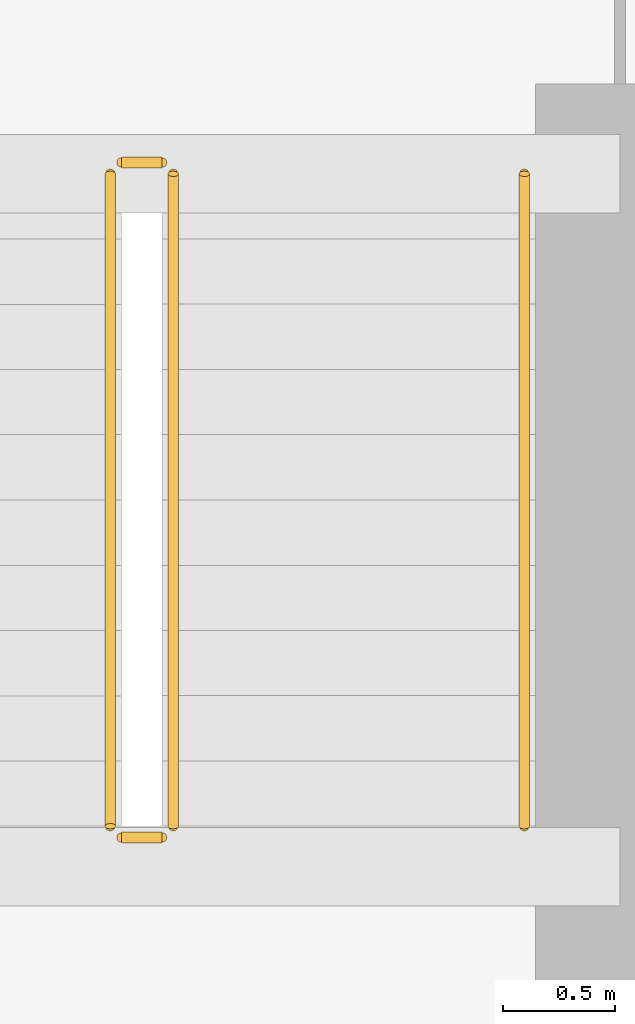
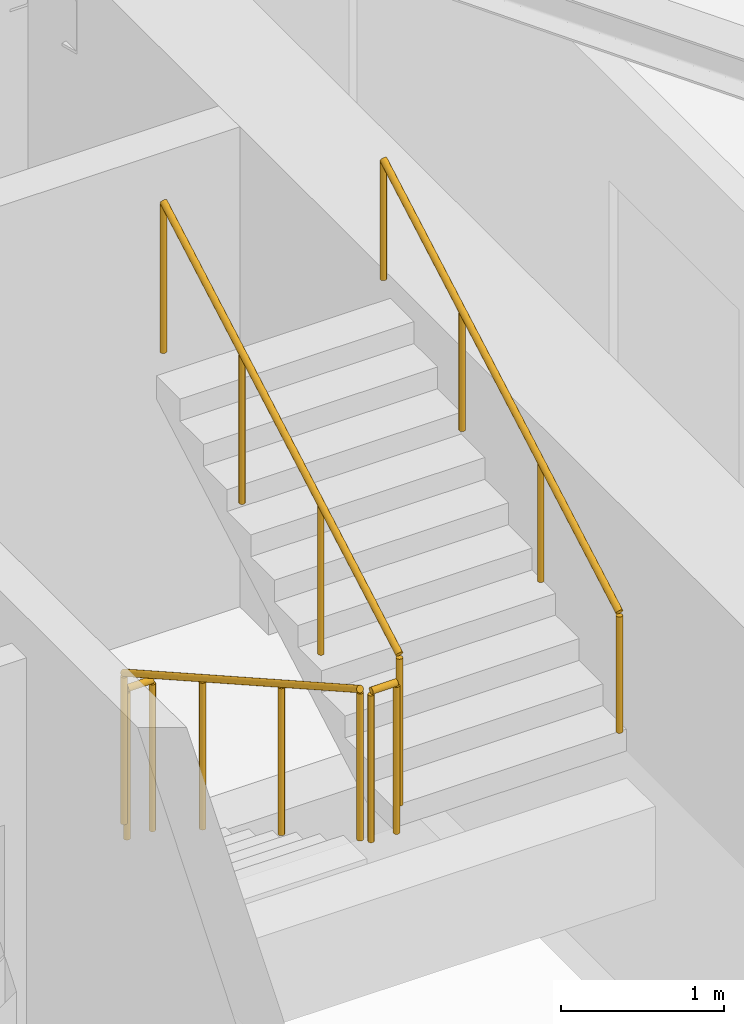
# One storey, part 10 of 10: 5 railings.
"""IFC4 building model written with IfcOpenShell, lengths in metres."""

from ifc_helpers import new_model, si_unit, direction, frame, origin, origin_2d, place, context, subcontext, project, spatial, circle, extrude, material, type_object, element, save


model = new_model("IFC4")

# Units and contexts
model_context = context("Model", 3, precision=1e-05, world=origin(), true_north=direction((0.0, 1.0)))
body_context = subcontext(model_context, "Body", "Model", "MODEL_VIEW")
ifc_project = project(units=[si_unit("LENGTHUNIT", "METRE"), si_unit("AREAUNIT", "SQUARE_METRE"), si_unit("VOLUMEUNIT", "CUBIC_METRE"), si_unit("PLANEANGLEUNIT", "RADIAN"), si_unit("MASSUNIT", "GRAM", prefix="KILO")], contexts=[model_context])

# Site, building, storey
site_placement = place(None, origin())
site = spatial("IfcSite", under=ifc_project, at=site_placement, CompositionType="ELEMENT")
building_placement = place(site_placement, origin())
building = spatial("IfcBuilding", under=site, at=building_placement, Name="Calvemar Wedge Station Tower", CompositionType="ELEMENT")
storey_placement = place(building_placement, frame((0.0, 0.0, 164.60009765625)))
storey = spatial("IfcBuildingStorey", under=building, at=storey_placement, Name="L41", CompositionType="ELEMENT", Elevation=164.60009765625)

# Railings
ifc_material_1 = material(Name="Stainless steel AISI 316L", Category="steel")
railing_type_1 = type_object("IfcRailingType", Name="RL-HANDRAIL-920", PredefinedType="HANDRAIL", material=ifc_material_1)
railing_1_placement = place(storey_placement, frame((30.949951171875, 38.25, 1.963623046875)))
element("IfcRailing", 1, at=railing_1_placement, inside=storey, type_object=railing_type_1, Name="L41 ST-C2 stair handrail 2", PredefinedType="HANDRAIL", context=body_context, shape_type="SweptSolid", body=[
    extrude(circle(Radius=0.02392578125, at=origin_2d()), frame((0.0, 0.0, 0.89599609375), z_axis=(0.0, 0.870928581787, 0.491409610636), x_axis=(-1.0, 0.0, 0.0)), (0.0, 0.0, 1.0), 3.32958984375),
    extrude(circle(Radius=0.02099609375, at=origin_2d()), origin(), (0.0, 0.0, 1.0), 0.871826171875),
    extrude(circle(Radius=0.02099609375, at=origin_2d()), frame((0.0, 0.966552734375, 0.54541015625)), (0.0, 0.0, 1.0), 0.871826171875),
    extrude(circle(Radius=0.02099609375, at=origin_2d()), frame((0.0, 1.933349609375, 1.0908203125)), (0.0, 0.0, 1.0), 0.871826171875),
    extrude(circle(Radius=0.02099609375, at=origin_2d()), frame((0.0, 2.89990234375, 1.63623046875)), (0.0, 0.0, 1.0), 0.871826171875),
])
ifc_material_2 = material(Name="Painted steel guardrail ASTM A500 Grade C", Category="steel")
railing_type_2 = type_object("IfcRailingType", Name="RL-STAIR-GUARD-1150", PredefinedType="GUARDRAIL", material=ifc_material_2)
railing_2_placement = place(storey_placement, frame((29.110107421875, 41.14990234375, 0.16357421875)))
element("IfcRailing", 2, at=railing_2_placement, inside=storey, type_object=railing_type_2, Name="L41 ST-C2 stair guard 1", PredefinedType="GUARDRAIL", context=body_context, shape_type="SweptSolid", body=[
    extrude(circle(Radius=0.02392578125, at=origin_2d()), frame((0.0, 0.0, 1.1259765625), z_axis=(0.0, -0.870928581787, 0.491409610636), x_axis=(1.0, 0.0, 0.0)), (0.0, 0.0, 1.0), 3.32958984375),
    extrude(circle(Radius=0.02099609375, at=origin_2d()), origin(), (0.0, 0.0, 1.0), 1.101806640625),
    extrude(circle(Radius=0.02099609375, at=origin_2d()), frame((0.0, -0.966552734375, 0.54541015625)), (0.0, 0.0, 1.0), 1.101806640625),
    extrude(circle(Radius=0.02099609375, at=origin_2d()), frame((0.0, -1.933349609375, 1.0908203125)), (0.0, 0.0, 1.0), 1.101806640625),
    extrude(circle(Radius=0.02099609375, at=origin_2d()), frame((0.0, -2.89990234375, 1.63623046875)), (0.0, 0.0, 1.0), 1.101806640625),
])
railing_3_placement = place(storey_placement, frame((29.159912109375, 38.199951171875, 1.7998046875)))
element("IfcRailing", 3, at=railing_3_placement, inside=storey, type_object=railing_type_2, Name="L41 ST-C2 stair guard 2", PredefinedType="GUARDRAIL", context=body_context, shape_type="SweptSolid", body=[
    extrude(circle(Radius=0.02392578125, at=origin_2d()), frame((0.0, 0.0, 1.1259765625), z_axis=(1.0, 0.0, 0.0), x_axis=(0.0, 1.0, 0.0)), (0.0, 0.0, 1.0), 0.18017578125),
    extrude(circle(Radius=0.02099609375, at=origin_2d()), origin(), (0.0, 0.0, 1.0), 1.101806640625),
    extrude(circle(Radius=0.02099609375, at=origin_2d()), frame((0.18017578125, 0.0, 0.0)), (0.0, 0.0, 1.0), 1.101806640625),
])
railing_4_placement = place(storey_placement, frame((29.389892578125, 38.25, 1.963623046875)))
element("IfcRailing", 4, at=railing_4_placement, inside=storey, type_object=railing_type_2, Name="L41 ST-C2 stair guard 3", PredefinedType="GUARDRAIL", context=body_context, shape_type="SweptSolid", body=[
    extrude(circle(Radius=0.02392578125, at=origin_2d()), frame((0.0, 0.0, 1.1259765625), z_axis=(0.0, 0.870928581787, 0.491409610636), x_axis=(-1.0, 0.0, 0.0)), (0.0, 0.0, 1.0), 3.32958984375),
    extrude(circle(Radius=0.02099609375, at=origin_2d()), origin(), (0.0, 0.0, 1.0), 1.101806640625),
    extrude(circle(Radius=0.02099609375, at=origin_2d()), frame((0.0, 0.966552734375, 0.54541015625)), (0.0, 0.0, 1.0), 1.101806640625),
    extrude(circle(Radius=0.02099609375, at=origin_2d()), frame((0.0, 1.933349609375, 1.0908203125)), (0.0, 0.0, 1.0), 1.101806640625),
    extrude(circle(Radius=0.02099609375, at=origin_2d()), frame((0.0, 2.89990234375, 1.63623046875)), (0.0, 0.0, 1.0), 1.101806640625),
])
railing_5_placement = place(storey_placement, frame((29.159912109375, 41.199951171875, 0.0)))
element("IfcRailing", 5, at=railing_5_placement, inside=storey, type_object=railing_type_2, Name="L41 ST-C2 stair guard 4", PredefinedType="GUARDRAIL", context=body_context, shape_type="SweptSolid", body=[
    extrude(circle(Radius=0.02392578125, at=origin_2d()), frame((0.0, 0.0, 1.1259765625), z_axis=(1.0, 0.0, 0.0), x_axis=(0.0, 1.0, 0.0)), (0.0, 0.0, 1.0), 0.18017578125),
    extrude(circle(Radius=0.02099609375, at=origin_2d()), origin(), (0.0, 0.0, 1.0), 1.101806640625),
    extrude(circle(Radius=0.02099609375, at=origin_2d()), frame((0.18017578125, 0.0, 0.0)), (0.0, 0.0, 1.0), 1.101806640625),
])

save(model, "model.ifc")
